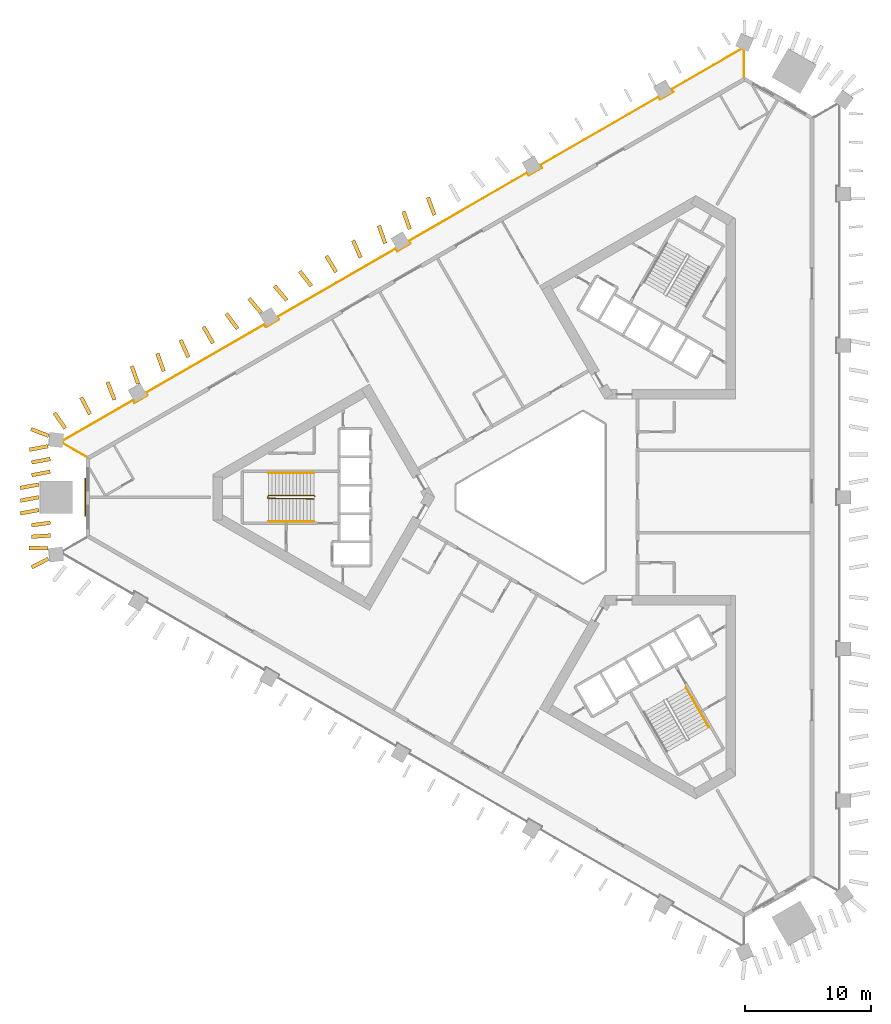
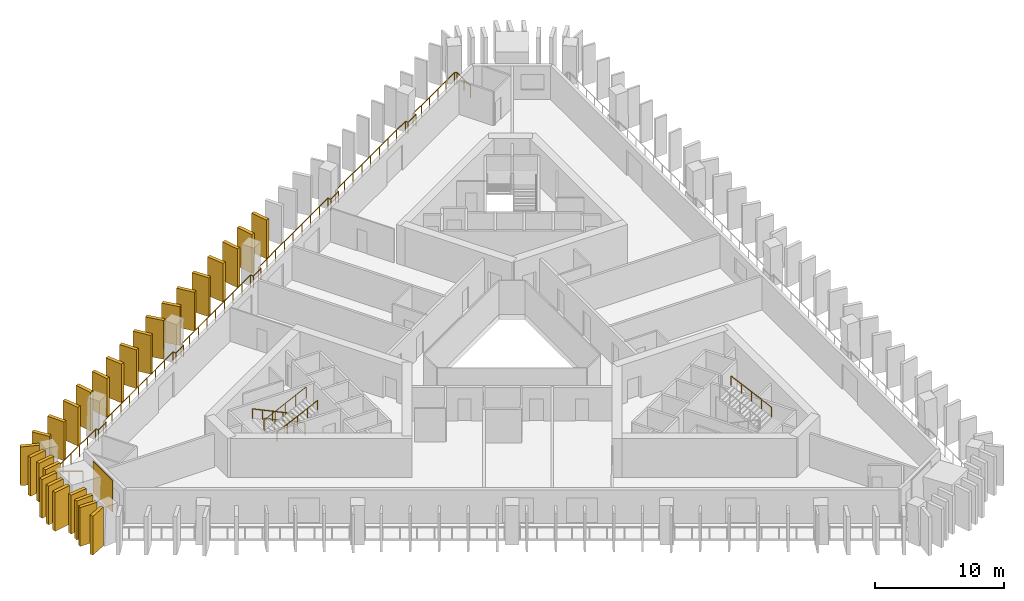
# One storey, part 8 of 10: 27 shading devices, 5 railings, 1 covering.
"""IFC4 building model written with IfcOpenShell, lengths in metres."""

from ifc_helpers import new_model, si_unit, direction, frame, frame_2d, origin, origin_2d, place, context, subcontext, project, spatial, rectangle, circle, extrude, material, layer, layer_set, type_object, element, save


model = new_model("IFC4")

# Units and contexts
model_context = context("Model", 3, precision=1e-05, world=origin(), true_north=direction((0.0, 1.0)))
body_context = subcontext(model_context, "Body", "Model", "MODEL_VIEW")
ifc_project = project(units=[si_unit("LENGTHUNIT", "METRE"), si_unit("AREAUNIT", "SQUARE_METRE"), si_unit("VOLUMEUNIT", "CUBIC_METRE"), si_unit("PLANEANGLEUNIT", "RADIAN"), si_unit("MASSUNIT", "GRAM", prefix="KILO")], contexts=[model_context])

# Site, building, storey
site_placement = place(None, origin())
site = spatial("IfcSite", under=ifc_project, at=site_placement, CompositionType="ELEMENT")
building_placement = place(site_placement, origin())
building = spatial("IfcBuilding", under=site, at=building_placement, Name="Jabali Bay Hotel Tower and Convention Centre", CompositionType="ELEMENT")
storey_placement = place(building_placement, frame((0.0, 0.0, 57.300048828125)))
storey = spatial("IfcBuildingStorey", under=building, at=storey_placement, Name="L12", CompositionType="ELEMENT", Elevation=57.300048828125)

# Railing
ifc_material_1 = material(Name="Glass", Category="glass")
railing_type_1 = type_object("IfcRailingType", Name="Loggia glass guard 1100", PredefinedType="BALUSTRADE", material=ifc_material_1)
railing_1_placement = place(storey_placement, frame((38.290771484375, 83.2265625, 0.0)))
element("IfcRailing", 1, at=railing_1_placement, inside=storey, type_object=railing_type_1, Name="Loggia glass guard L12", PredefinedType="BALUSTRADE", context=body_context, shape_type="SweptSolid", body=[
    extrude(circle(Radius=0.02490234375, at=origin_2d()), frame((0.0, 0.0, 1.0751953125), z_axis=(-0.866027613664, 0.499996172356, 0.0), x_axis=(-0.495718635789, -0.858618627375, 0.13052619222)), (0.0, 0.0, 1.0), 2.1103515625),
    extrude(circle(Radius=0.02490234375, at=origin_2d()), frame((-1.82763671875, 1.05517578125, 1.0751953125), z_axis=(0.115918072513, 0.993258778197, 0.0), x_axis=(-0.984761311658, 0.114926377333, 0.13052619222)), (0.0, 0.0, 1.0), 0.21484375),
    extrude(circle(Radius=0.02490234375, at=origin_2d()), frame((-1.802734375, 1.2685546875, 1.0751953125), z_axis=(0.866032656711, 0.499987437352, 0.0), x_axis=(-0.495709975514, 0.858623627278, 0.13052619222)), (0.0, 0.0, 1.0), 6.406982421875),
    extrude(circle(Radius=0.02490234375, at=origin_2d()), frame((3.745849609375, 4.471923828125, 1.0751953125), z_axis=(0.500342721131, -0.865827443207, 0.0), x_axis=(0.858420169404, 0.496062219791, 0.13052619222)), (0.0, 0.0, 1.0), 0.249755859375),
    extrude(circle(Radius=0.02490234375, at=origin_2d()), frame((3.870849609375, 4.255615234375, 1.0751953125), z_axis=(0.866094119867, 0.499880961361, 0.0), x_axis=(-0.49560441044, 0.858684564609, 0.13052619222)), (0.0, 0.0, 1.0), 1.199951171875),
    extrude(circle(Radius=0.02490234375, at=origin_2d()), frame((4.91015625, 4.85546875, 1.0751953125), z_axis=(-0.499919672301, 0.866071776036, 0.0), x_axis=(-0.858662411932, -0.495642790202, 0.13052619222)), (0.0, 0.0, 1.0), 0.25),
    extrude(circle(Radius=0.02490234375, at=origin_2d()), frame((4.78515625, 5.072021484375, 1.0751953125), z_axis=(0.866017319748, 0.500014001701, 0.0), x_axis=(-0.495736312602, 0.858608421524, 0.13052619222)), (0.0, 0.0, 1.0), 10.848876953125),
    extrude(circle(Radius=0.02490234375, at=origin_2d()), frame((14.180419921875, 10.49658203125, 1.0751953125), z_axis=(0.499919672301, -0.866071776036, 0.0), x_axis=(0.858662411932, 0.495642790202, 0.13052619222)), (0.0, 0.0, 1.0), 0.25),
    extrude(circle(Radius=0.02490234375, at=origin_2d()), frame((14.305419921875, 10.280029296875, 1.0751953125), z_axis=(0.866094119867, 0.499880961361, 0.0), x_axis=(-0.49560441044, 0.858684564609, 0.13052619222)), (0.0, 0.0, 1.0), 1.199951171875),
    extrude(circle(Radius=0.02490234375, at=origin_2d()), frame((15.3447265625, 10.8798828125, 1.0751953125), z_axis=(-0.499919672301, 0.866071776036, 0.0), x_axis=(-0.858662411932, -0.495642790202, 0.13052619222)), (0.0, 0.0, 1.0), 0.25),
    extrude(circle(Radius=0.02490234375, at=origin_2d()), frame((15.2197265625, 11.096435546875, 1.0751953125), z_axis=(0.866022945871, 0.500004257206, 0.0), x_axis=(-0.495726651472, 0.858613999516, 0.13052619222)), (0.0, 0.0, 1.0), 10.84912109375),
    extrude(circle(Radius=0.02490234375, at=origin_2d()), frame((24.615234375, 16.52099609375, 1.0751953125), z_axis=(0.499919672301, -0.866071776036, 0.0), x_axis=(0.858662411932, 0.495642790202, 0.13052619222)), (0.0, 0.0, 1.0), 0.25),
    extrude(circle(Radius=0.02490234375, at=origin_2d()), frame((24.740234375, 16.304443359375, 1.0751953125), z_axis=(0.866094119867, 0.499880961361, 0.0), x_axis=(-0.49560441044, 0.858684564609, 0.13052619222)), (0.0, 0.0, 1.0), 1.199951171875),
    extrude(circle(Radius=0.02490234375, at=origin_2d()), frame((25.779541015625, 16.904296875, 1.0751953125), z_axis=(-0.499919672301, 0.866071776036, 0.0), x_axis=(-0.858662411932, -0.495642790202, 0.13052619222)), (0.0, 0.0, 1.0), 0.25),
    extrude(circle(Radius=0.02490234375, at=origin_2d()), frame((25.654541015625, 17.120849609375, 1.0751953125), z_axis=(0.866017319748, 0.500014001701, 0.0), x_axis=(-0.495736312602, 0.858608421524, 0.13052619222)), (0.0, 0.0, 1.0), 10.848876953125),
    extrude(circle(Radius=0.02490234375, at=origin_2d()), frame((35.0498046875, 22.54541015625, 1.0751953125), z_axis=(0.499919672301, -0.866071776036, 0.0), x_axis=(0.858662411932, 0.495642790202, 0.13052619222)), (0.0, 0.0, 1.0), 0.25),
    extrude(circle(Radius=0.02490234375, at=origin_2d()), frame((35.1748046875, 22.328857421875, 1.0751953125), z_axis=(0.866006032174, 0.500033551112, 0.0), x_axis=(-0.495755694765, 0.858597230518, 0.13052619222)), (0.0, 0.0, 1.0), 1.2001953125),
    extrude(circle(Radius=0.02490234375, at=origin_2d()), frame((36.214111328125, 22.928955078125, 1.0751953125), z_axis=(-0.500342721131, 0.865827443207, 0.0), x_axis=(-0.858420169404, -0.496062219791, 0.13052619222)), (0.0, 0.0, 1.0), 0.249755859375),
    extrude(circle(Radius=0.02490234375, at=origin_2d()), frame((36.089111328125, 23.145263671875, 1.0751953125), z_axis=(0.866022945871, 0.500004257206, 0.0), x_axis=(-0.495726651472, 0.858613999516, 0.13052619222)), (0.0, 0.0, 1.0), 10.84912109375),
    extrude(circle(Radius=0.02490234375, at=origin_2d()), frame((45.484619140625, 28.56982421875, 1.0751953125), z_axis=(0.499919672301, -0.866071776036, 0.0), x_axis=(0.858662411932, 0.495642790202, 0.13052619222)), (0.0, 0.0, 1.0), 0.25),
    extrude(circle(Radius=0.02490234375, at=origin_2d()), frame((45.609619140625, 28.353271484375, 1.0751953125), z_axis=(0.865955154139, 0.50012165622, 0.0), x_axis=(-0.495843046121, 0.858546787751, 0.13052619222)), (0.0, 0.0, 1.0), 1.199951171875),
    extrude(circle(Radius=0.02490234375, at=origin_2d()), frame((46.648681640625, 28.953369140625, 1.0751953125), z_axis=(-0.499919672301, 0.866071776036, 0.0), x_axis=(-0.858662411932, -0.495642790202, 0.13052619222)), (0.0, 0.0, 1.0), 0.25),
    extrude(circle(Radius=0.02490234375, at=origin_2d()), frame((46.523681640625, 29.169921875, 1.0751953125), z_axis=(0.866042182234, 0.499970937746, 0.0), x_axis=(-0.495693617065, 0.858633071309, 0.13052619222)), (0.0, 0.0, 1.0), 6.4072265625),
    extrude(circle(Radius=0.02490234375, at=origin_2d()), frame((52.072509765625, 32.373291015625, 1.0751953125), z_axis=(0.918259892691, -0.395978243688, 0.0), x_axis=(0.392590594921, 0.910404052014, 0.13052619222)), (0.0, 0.0, 1.0), 0.214599609375),
    extrude(circle(Radius=0.02490234375, at=origin_2d()), frame((52.26953125, 32.288330078125, 1.0751953125), z_axis=(0.0, -1.0, 0.0), x_axis=(0.991444861374, 0.0, 0.13052619222)), (0.0, 0.0, 1.0), 2.110595703125),
    extrude(circle(Radius=0.02001953125, at=origin_2d()), origin(), (0.0, 0.0, 1.0), 1.050048828125),
    extrude(circle(Radius=0.02001953125, at=origin_2d()), frame((-0.913818359375, 0.527587890625, 0.0)), (0.0, 0.0, 1.0), 1.050048828125),
    extrude(circle(Radius=0.02001953125, at=origin_2d()), frame((-1.82763671875, 1.05517578125, 0.0)), (0.0, 0.0, 1.0), 1.050048828125),
    extrude(circle(Radius=0.02001953125, at=origin_2d()), frame((-1.802734375, 1.2685546875, 0.0)), (0.0, 0.0, 1.0), 1.050048828125),
    extrude(circle(Radius=0.02001953125, at=origin_2d()), frame((-0.693115234375, 1.9091796875, 0.0)), (0.0, 0.0, 1.0), 1.050048828125),
    extrude(circle(Radius=0.02001953125, at=origin_2d()), frame((0.416748046875, 2.5498046875, 0.0)), (0.0, 0.0, 1.0), 1.050048828125),
    extrude(circle(Radius=0.02001953125, at=origin_2d()), frame((1.5263671875, 3.190673828125, 0.0)), (0.0, 0.0, 1.0), 1.050048828125),
    extrude(circle(Radius=0.02001953125, at=origin_2d()), frame((2.63623046875, 3.831298828125, 0.0)), (0.0, 0.0, 1.0), 1.050048828125),
    extrude(circle(Radius=0.02001953125, at=origin_2d()), frame((3.745849609375, 4.471923828125, 0.0)), (0.0, 0.0, 1.0), 1.050048828125),
    extrude(circle(Radius=0.02001953125, at=origin_2d()), frame((3.870849609375, 4.255615234375, 0.0)), (0.0, 0.0, 1.0), 1.050048828125),
    extrude(circle(Radius=0.02001953125, at=origin_2d()), frame((4.91015625, 4.85546875, 0.0)), (0.0, 0.0, 1.0), 1.050048828125),
    extrude(circle(Radius=0.02001953125, at=origin_2d()), frame((4.78515625, 5.072021484375, 0.0)), (0.0, 0.0, 1.0), 1.050048828125),
    extrude(circle(Radius=0.02001953125, at=origin_2d()), frame((5.95947265625, 5.75, 0.0)), (0.0, 0.0, 1.0), 1.050048828125),
    extrude(circle(Radius=0.02001953125, at=origin_2d()), frame((7.134033203125, 6.42822265625, 0.0)), (0.0, 0.0, 1.0), 1.050048828125),
    extrude(circle(Radius=0.02001953125, at=origin_2d()), frame((8.308349609375, 7.106201171875, 0.0)), (0.0, 0.0, 1.0), 1.050048828125),
    extrude(circle(Radius=0.02001953125, at=origin_2d()), frame((9.48291015625, 7.7841796875, 0.0)), (0.0, 0.0, 1.0), 1.050048828125),
    extrude(circle(Radius=0.02001953125, at=origin_2d()), frame((10.6572265625, 8.46240234375, 0.0)), (0.0, 0.0, 1.0), 1.050048828125),
    extrude(circle(Radius=0.02001953125, at=origin_2d()), frame((11.83154296875, 9.140380859375, 0.0)), (0.0, 0.0, 1.0), 1.050048828125),
    extrude(circle(Radius=0.02001953125, at=origin_2d()), frame((13.006103515625, 9.818603515625, 0.0)), (0.0, 0.0, 1.0), 1.050048828125),
    extrude(circle(Radius=0.02001953125, at=origin_2d()), frame((14.180419921875, 10.49658203125, 0.0)), (0.0, 0.0, 1.0), 1.050048828125),
    extrude(circle(Radius=0.02001953125, at=origin_2d()), frame((14.305419921875, 10.280029296875, 0.0)), (0.0, 0.0, 1.0), 1.050048828125),
    extrude(circle(Radius=0.02001953125, at=origin_2d()), frame((15.3447265625, 10.8798828125, 0.0)), (0.0, 0.0, 1.0), 1.050048828125),
    extrude(circle(Radius=0.02001953125, at=origin_2d()), frame((15.2197265625, 11.096435546875, 0.0)), (0.0, 0.0, 1.0), 1.050048828125),
    extrude(circle(Radius=0.02001953125, at=origin_2d()), frame((16.39404296875, 11.7744140625, 0.0)), (0.0, 0.0, 1.0), 1.050048828125),
    extrude(circle(Radius=0.02001953125, at=origin_2d()), frame((17.568603515625, 12.45263671875, 0.0)), (0.0, 0.0, 1.0), 1.050048828125),
    extrude(circle(Radius=0.02001953125, at=origin_2d()), frame((18.7431640625, 13.130615234375, 0.0)), (0.0, 0.0, 1.0), 1.050048828125),
    extrude(circle(Radius=0.02001953125, at=origin_2d()), frame((19.91748046875, 13.80859375, 0.0)), (0.0, 0.0, 1.0), 1.050048828125),
    extrude(circle(Radius=0.02001953125, at=origin_2d()), frame((21.091796875, 14.48681640625, 0.0)), (0.0, 0.0, 1.0), 1.050048828125),
    extrude(circle(Radius=0.02001953125, at=origin_2d()), frame((22.266357421875, 15.164794921875, 0.0)), (0.0, 0.0, 1.0), 1.050048828125),
    extrude(circle(Radius=0.02001953125, at=origin_2d()), frame((23.44091796875, 15.843017578125, 0.0)), (0.0, 0.0, 1.0), 1.050048828125),
    extrude(circle(Radius=0.02001953125, at=origin_2d()), frame((24.615234375, 16.52099609375, 0.0)), (0.0, 0.0, 1.0), 1.050048828125),
    extrude(circle(Radius=0.02001953125, at=origin_2d()), frame((24.740234375, 16.304443359375, 0.0)), (0.0, 0.0, 1.0), 1.050048828125),
    extrude(circle(Radius=0.02001953125, at=origin_2d()), frame((25.779541015625, 16.904296875, 0.0)), (0.0, 0.0, 1.0), 1.050048828125),
    extrude(circle(Radius=0.02001953125, at=origin_2d()), frame((25.654541015625, 17.120849609375, 0.0)), (0.0, 0.0, 1.0), 1.050048828125),
    extrude(circle(Radius=0.02001953125, at=origin_2d()), frame((26.828857421875, 17.798828125, 0.0)), (0.0, 0.0, 1.0), 1.050048828125),
    extrude(circle(Radius=0.02001953125, at=origin_2d()), frame((28.00341796875, 18.47705078125, 0.0)), (0.0, 0.0, 1.0), 1.050048828125),
    extrude(circle(Radius=0.02001953125, at=origin_2d()), frame((29.177734375, 19.155029296875, 0.0)), (0.0, 0.0, 1.0), 1.050048828125),
    extrude(circle(Radius=0.02001953125, at=origin_2d()), frame((30.35205078125, 19.8330078125, 0.0)), (0.0, 0.0, 1.0), 1.050048828125),
    extrude(circle(Radius=0.02001953125, at=origin_2d()), frame((31.526611328125, 20.51123046875, 0.0)), (0.0, 0.0, 1.0), 1.050048828125),
    extrude(circle(Radius=0.02001953125, at=origin_2d()), frame((32.700927734375, 21.189208984375, 0.0)), (0.0, 0.0, 1.0), 1.050048828125),
    extrude(circle(Radius=0.02001953125, at=origin_2d()), frame((33.87548828125, 21.867431640625, 0.0)), (0.0, 0.0, 1.0), 1.050048828125),
    extrude(circle(Radius=0.02001953125, at=origin_2d()), frame((35.0498046875, 22.54541015625, 0.0)), (0.0, 0.0, 1.0), 1.050048828125),
    extrude(circle(Radius=0.02001953125, at=origin_2d()), frame((35.1748046875, 22.328857421875, 0.0)), (0.0, 0.0, 1.0), 1.050048828125),
    extrude(circle(Radius=0.02001953125, at=origin_2d()), frame((36.214111328125, 22.928955078125, 0.0)), (0.0, 0.0, 1.0), 1.050048828125),
    extrude(circle(Radius=0.02001953125, at=origin_2d()), frame((36.089111328125, 23.145263671875, 0.0)), (0.0, 0.0, 1.0), 1.050048828125),
    extrude(circle(Radius=0.02001953125, at=origin_2d()), frame((37.263671875, 23.8232421875, 0.0)), (0.0, 0.0, 1.0), 1.050048828125),
    extrude(circle(Radius=0.02001953125, at=origin_2d()), frame((38.43798828125, 24.50146484375, 0.0)), (0.0, 0.0, 1.0), 1.050048828125),
    extrude(circle(Radius=0.02001953125, at=origin_2d()), frame((39.6123046875, 25.179443359375, 0.0)), (0.0, 0.0, 1.0), 1.050048828125),
    extrude(circle(Radius=0.02001953125, at=origin_2d()), frame((40.786865234375, 25.857421875, 0.0)), (0.0, 0.0, 1.0), 1.050048828125),
    extrude(circle(Radius=0.02001953125, at=origin_2d()), frame((41.96142578125, 26.53564453125, 0.0)), (0.0, 0.0, 1.0), 1.050048828125),
    extrude(circle(Radius=0.02001953125, at=origin_2d()), frame((43.1357421875, 27.213623046875, 0.0)), (0.0, 0.0, 1.0), 1.050048828125),
    extrude(circle(Radius=0.02001953125, at=origin_2d()), frame((44.31005859375, 27.891845703125, 0.0)), (0.0, 0.0, 1.0), 1.050048828125),
    extrude(circle(Radius=0.02001953125, at=origin_2d()), frame((45.484619140625, 28.56982421875, 0.0)), (0.0, 0.0, 1.0), 1.050048828125),
    extrude(circle(Radius=0.02001953125, at=origin_2d()), frame((45.609619140625, 28.353271484375, 0.0)), (0.0, 0.0, 1.0), 1.050048828125),
    extrude(circle(Radius=0.02001953125, at=origin_2d()), frame((46.648681640625, 28.953369140625, 0.0)), (0.0, 0.0, 1.0), 1.050048828125),
    extrude(circle(Radius=0.02001953125, at=origin_2d()), frame((46.523681640625, 29.169921875, 0.0)), (0.0, 0.0, 1.0), 1.050048828125),
    extrude(circle(Radius=0.02001953125, at=origin_2d()), frame((47.633544921875, 29.810546875, 0.0)), (0.0, 0.0, 1.0), 1.050048828125),
    extrude(circle(Radius=0.02001953125, at=origin_2d()), frame((48.7431640625, 30.451171875, 0.0)), (0.0, 0.0, 1.0), 1.050048828125),
    extrude(circle(Radius=0.02001953125, at=origin_2d()), frame((49.85302734375, 31.092041015625, 0.0)), (0.0, 0.0, 1.0), 1.050048828125),
    extrude(circle(Radius=0.02001953125, at=origin_2d()), frame((50.962646484375, 31.732666015625, 0.0)), (0.0, 0.0, 1.0), 1.050048828125),
    extrude(circle(Radius=0.02001953125, at=origin_2d()), frame((52.072509765625, 32.373291015625, 0.0)), (0.0, 0.0, 1.0), 1.050048828125),
    extrude(circle(Radius=0.02001953125, at=origin_2d()), frame((52.26953125, 32.288330078125, 0.0)), (0.0, 0.0, 1.0), 1.050048828125),
    extrude(circle(Radius=0.02001953125, at=origin_2d()), frame((52.26953125, 31.23291015625, 0.0)), (0.0, 0.0, 1.0), 1.050048828125),
    extrude(circle(Radius=0.02001953125, at=origin_2d()), frame((52.26953125, 30.177734375, 0.0)), (0.0, 0.0, 1.0), 1.050048828125),
])

# Shading devices
ifc_material_2 = material(Name="Precast concrete C60", Category="concrete")
ifc_layer_1 = layer(ifc_material_2, 0.300048828125)
ifc_layer_set_1 = layer_set([ifc_layer_1], Name="Precast concrete C60")
shading_device_type = type_object("IfcShadingDeviceType", Name="Precast fin 3680 x 1500", PredefinedType="USERDEFINED", material=ifc_layer_set_1)
shading_device_1_placement = place(storey_placement, frame((65.96923828125, 102.411376953125, 0.010009765625), z_axis=(0.0, 0.0, 1.0), x_axis=(-0.345660108721, 0.93835978667, 0.0)))
element("IfcShadingDevice", 2, at=shading_device_1_placement, inside=storey, type_object=shading_device_type, Name="Fin L12 049", ObjectType="FIN", PredefinedType="USERDEFINED", context=body_context, shape_type="SweptSolid", body=[
    extrude(rectangle(XDim=1.500244140625, YDim=0.300048828125, at=frame_2d((0.75, 0.0))), origin(), (0.0, 0.0, 1.0), 3.679931640625),
])
for number, where, z_axis, x_axis, name in (
    (3, (64.01416015625, 101.28466796875, 0.010009765625), (0.0, 0.0, 1.0), (-0.335449534217, 0.942058177606, 0.0), "Fin L12 050"),
    (4, (62.059814453125, 100.15625, 0.010009765625), (0.0, 0.0, 1.0), (-0.335109201498, 0.942179294546, 0.0), "Fin L12 051"),
):
    element("IfcShadingDevice", number, at=place(storey_placement, frame(where, z_axis=z_axis, x_axis=x_axis)), inside=storey, type_object=shading_device_type, Name=name, ObjectType="FIN", PredefinedType="USERDEFINED", context=body_context, shape_type="SweptSolid", body=[
        extrude(rectangle(XDim=1.5, YDim=0.300048828125, at=frame_2d((0.75, 0.0))), origin(), (0.0, 0.0, 1.0), 3.679931640625),
    ])
shading_device_2_placement = place(storey_placement, frame((60.110595703125, 99.019287109375, 0.010009765625), z_axis=(0.0, 0.0, 1.0), x_axis=(-0.397726175077, 0.917504163292, 0.0)))
element("IfcShadingDevice", 5, at=shading_device_2_placement, inside=storey, type_object=shading_device_type, Name="Fin L12 052", ObjectType="FIN", PredefinedType="USERDEFINED", context=body_context, shape_type="SweptSolid", body=[
    extrude(rectangle(XDim=1.500244140625, YDim=0.300048828125, at=frame_2d((0.75, 0.0))), origin(), (0.0, 0.0, 1.0), 3.679931640625),
])
shading_device_3_placement = place(storey_placement, frame((58.163330078125, 97.87890625, 0.010009765625), z_axis=(0.0, 0.0, 1.0), x_axis=(-0.517460918382, 0.855706841124, 0.0)))
element("IfcShadingDevice", 6, at=shading_device_3_placement, inside=storey, type_object=shading_device_type, Name="Fin L12 053", ObjectType="FIN", PredefinedType="USERDEFINED", context=body_context, shape_type="SweptSolid", body=[
    extrude(rectangle(XDim=1.499755859375, YDim=0.300048828125, at=frame_2d((0.75, 0.0))), origin(), (0.0, 0.0, 1.0), 3.679931640625),
])
shading_device_4_placement = place(storey_placement, frame((56.200439453125, 96.765625, 0.010009765625), z_axis=(0.0, 0.0, 1.0), x_axis=(-0.613557459023, 0.789650077235, 0.0)))
element("IfcShadingDevice", 7, at=shading_device_4_placement, inside=storey, type_object=shading_device_type, Name="Fin L12 054", ObjectType="FIN", PredefinedType="USERDEFINED", context=body_context, shape_type="SweptSolid", body=[
    extrude(rectangle(XDim=1.5, YDim=0.300048828125, at=frame_2d((0.75, 0.0))), origin(), (0.0, 0.0, 1.0), 3.679931640625),
])
shading_device_5_placement = place(storey_placement, frame((54.242919921875, 95.64306640625, 0.010009765625), z_axis=(0.0, 0.0, 1.0), x_axis=(-0.64837563468, 0.761320587107, 0.0)))
element("IfcShadingDevice", 8, at=shading_device_5_placement, inside=storey, type_object=shading_device_type, Name="Fin L12 055", ObjectType="FIN", PredefinedType="USERDEFINED", context=body_context, shape_type="SweptSolid", body=[
    extrude(rectangle(XDim=1.500244140625, YDim=0.300048828125, at=frame_2d((0.75, 0.0))), origin(), (0.0, 0.0, 1.0), 3.679931640625),
])
for number, where, z_axis, x_axis, name in (
    (9, (52.213623046875, 94.64453125, 0.010009765625), (0.0, 0.0, 1.0), (-0.648281291341, 0.761400924151, 0.0), "Fin L12 056"),
    (10, (50.339111328125, 93.378173828125, 0.010009765625), (0.0, 0.0, 1.0), (-0.597653685154, 0.801754371751, 0.0), "Fin L12 057"),
    (11, (48.39306640625, 92.23583984375, 0.010009765625), (0.0, 0.0, 1.0), (-0.506671552998, 0.862139163582, 0.0), "Fin L12 058"),
    (12, (46.431640625, 91.119873046875, 0.010009765625), (0.0, 0.0, 1.0), (-0.407527248386, 0.913193047402, 0.0), "Fin L12 059"),
):
    element("IfcShadingDevice", number, at=place(storey_placement, frame(where, z_axis=z_axis, x_axis=x_axis)), inside=storey, type_object=shading_device_type, Name=name, ObjectType="FIN", PredefinedType="USERDEFINED", context=body_context, shape_type="SweptSolid", body=[
        extrude(rectangle(XDim=1.5, YDim=0.300048828125, at=frame_2d((0.75, 0.0))), origin(), (0.0, 0.0, 1.0), 3.679931640625),
    ])
shading_device_6_placement = place(storey_placement, frame((44.471435546875, 90.001708984375, 0.010009765625), z_axis=(0.0, 0.0, 1.0), x_axis=(-0.335160595484, 0.942161013434, 0.0)))
element("IfcShadingDevice", 13, at=shading_device_6_placement, inside=storey, type_object=shading_device_type, Name="Fin L12 060", ObjectType="FIN", PredefinedType="USERDEFINED", context=body_context, shape_type="SweptSolid", body=[
    extrude(rectangle(XDim=1.499755859375, YDim=0.300048828125, at=frame_2d((0.75, 0.0))), origin(), (0.0, 0.0, 1.0), 3.679931640625),
])
shading_device_7_placement = place(storey_placement, frame((42.4423828125, 89.003173828125, 0.010009765625), z_axis=(0.0, 0.0, 1.0), x_axis=(-0.335305076677, 0.942109603791, 0.0)))
element("IfcShadingDevice", 14, at=shading_device_7_placement, inside=storey, type_object=shading_device_type, Name="Fin L12 061", ObjectType="FIN", PredefinedType="USERDEFINED", context=body_context, shape_type="SweptSolid", body=[
    extrude(rectangle(XDim=1.5, YDim=0.300048828125, at=frame_2d((0.75, 0.0))), origin(), (0.0, 0.0, 1.0), 3.679931640625),
])
shading_device_8_placement = place(storey_placement, frame((40.5654296875, 87.740966796875, 0.010009765625), z_axis=(0.0, 0.0, 1.0), x_axis=(-0.366080404354, 0.930583224407, 0.0)))
element("IfcShadingDevice", 15, at=shading_device_8_placement, inside=storey, type_object=shading_device_type, Name="Fin L12 062", ObjectType="FIN", PredefinedType="USERDEFINED", context=body_context, shape_type="SweptSolid", body=[
    extrude(rectangle(XDim=1.499755859375, YDim=0.300048828125, at=frame_2d((0.75, 0.0))), origin(), (0.0, 0.0, 1.0), 3.679931640625),
])
for number, where, z_axis, x_axis, name in (
    (16, (38.619384765625, 86.59814453125, 0.010009765625), (0.0, 0.0, 1.0), (-0.466960167336, 0.884278351042, 0.0), "Fin L12 063"),
    (17, (36.66064453125, 85.4775390625, 0.010009765625), (0.0, 0.0, 1.0), (-0.581853862011, 0.813293356215, 0.0), "Fin L12 064"),
    (18, (35.28564453125, 84.04833984375, 0.010009765625), (0.0, 0.0, 1.0), (-0.98351646372, -0.180818598576, 0.0), "Fin L12 065"),
    (19, (35.4638671875, 83.036376953125, 0.010009765625), (0.0, 0.0, 1.0), (-0.98351646372, -0.180818598576, 0.0), "Fin L12 066"),
    (20, (35.4638671875, 82.024169921875, 0.010009765625), (0.0, 0.0, 1.0), (-0.98351646372, -0.180818598576, 0.0), "Fin L12 067"),
):
    element("IfcShadingDevice", number, at=place(storey_placement, frame(where, z_axis=z_axis, x_axis=x_axis)), inside=storey, type_object=shading_device_type, Name=name, ObjectType="FIN", PredefinedType="USERDEFINED", context=body_context, shape_type="SweptSolid", body=[
        extrude(rectangle(XDim=1.5, YDim=0.300048828125, at=frame_2d((0.75, 0.0))), origin(), (0.0, 0.0, 1.0), 3.679931640625),
    ])
for number, where, z_axis, x_axis, name in (
    (21, (34.564453125, 81.01220703125, 0.010009765625), (0.0, 0.0, 1.0), (-0.983511141173, -0.180847546813, 0.0), "Fin L12 068"),
    (22, (34.564453125, 80.0, 0.010009765625), (0.0, 0.0, 1.0), (-0.983511141173, -0.180847546813, 0.0), "Fin L12 069"),
    (23, (34.564453125, 78.98779296875, 0.010009765625), (0.0, 0.0, 1.0), (-0.983540082214, -0.180690084617, 0.0), "Fin L12 070"),
):
    element("IfcShadingDevice", number, at=place(storey_placement, frame(where, z_axis=z_axis, x_axis=x_axis)), inside=storey, type_object=shading_device_type, Name=name, ObjectType="FIN", PredefinedType="USERDEFINED", context=body_context, shape_type="SweptSolid", body=[
        extrude(rectangle(XDim=1.499755859375, YDim=0.300048828125, at=frame_2d((0.75, 0.0))), origin(), (0.0, 0.0, 1.0), 3.679931640625),
    ])
for number, where, z_axis, x_axis, name in (
    (24, (35.470703125, 77.975830078125, 0.010009765625), (0.0, 0.0, 1.0), (-0.99089936857, -0.134604759824, 0.0), "Fin L12 071"),
    (25, (35.48095703125, 76.963623046875, 0.010009765625), (0.0, 0.0, 1.0), (-0.997803841475, -0.066238160737, 0.0), "Fin L12 072"),
):
    element("IfcShadingDevice", number, at=place(storey_placement, frame(where, z_axis=z_axis, x_axis=x_axis)), inside=storey, type_object=shading_device_type, Name=name, ObjectType="FIN", PredefinedType="USERDEFINED", context=body_context, shape_type="SweptSolid", body=[
        extrude(rectangle(XDim=1.5, YDim=0.300048828125, at=frame_2d((0.75, 0.0))), origin(), (0.0, 0.0, 1.0), 3.679931640625),
    ])
for number, where, z_axis, x_axis, name in (
    (26, (35.281494140625, 75.95166015625, 0.010009765625), (0.0, 0.0, 1.0), (-0.999938738604, 0.011068831878, 0.0), "Fin L12 073"),
    (27, (35.33740234375, 84.8740234375, 0.010009765625), (0.0, 0.0, 1.0), (-0.934177944196, 0.356807467098, 0.0), "Fin L12 114"),
):
    element("IfcShadingDevice", number, at=place(storey_placement, frame(where, z_axis=z_axis, x_axis=x_axis)), inside=storey, type_object=shading_device_type, Name=name, ObjectType="FIN", PredefinedType="USERDEFINED", context=body_context, shape_type="SweptSolid", body=[
        extrude(rectangle(XDim=1.499755859375, YDim=0.300048828125, at=frame_2d((0.75, 0.0))), origin(), (0.0, 0.0, 1.0), 3.679931640625),
    ])
shading_device_9_placement = place(storey_placement, frame((35.322998046875, 75.11767578125, 0.010009765625), z_axis=(0.0, 0.0, 1.0), x_axis=(-0.89038777784, -0.455202817514, 0.0)))
element("IfcShadingDevice", 28, at=shading_device_9_placement, inside=storey, type_object=shading_device_type, Name="Fin L12 115", ObjectType="FIN", PredefinedType="USERDEFINED", context=body_context, shape_type="SweptSolid", body=[
    extrude(rectangle(XDim=1.500244140625, YDim=0.300048828125, at=frame_2d((0.75, 0.0))), origin(), (0.0, 0.0, 1.0), 3.679931640625),
])

# Covering
ifc_material_3 = material(Name="Precast concrete C40/50", Category="concrete")
ifc_layer_2 = layer(ifc_material_3, 0.080078125)
ifc_layer_set_2 = layer_set([ifc_layer_2], Name="Precast concrete C40/50")
covering_type = type_object("IfcCoveringType", Name="Relief panel 3000 x 3000", PredefinedType="CLADDING", material=ifc_layer_set_2)
covering_placement = place(storey_placement, frame((38.250732421875, 80.0, 0.099853515625), z_axis=(0.0, 0.0, 1.0), x_axis=(0.0, 1.0, 0.0)))
element("IfcCovering", 29, at=covering_placement, inside=storey, type_object=covering_type, Name="Relief panel L12", PredefinedType="CLADDING", context=body_context, shape_type="SweptSolid", body=[
    extrude(rectangle(XDim=3.0, YDim=0.080078125, at=origin_2d()), origin(), (0.0, 0.0, 1.0), 3.0),
])

# Railings
ifc_material_4 = material(Name="Steel Q355B", Category="steel")
railing_type_2 = type_object("IfcRailingType", Name="Stair guard 1100", PredefinedType="GUARDRAIL", material=ifc_material_4)
railing_2_placement = place(storey_placement, frame((56.469970703125, 80.074951171875, 0.0)))
element("IfcRailing", 30, at=railing_2_placement, inside=storey, type_object=railing_type_2, Name="L12 ST1 stair guard 1", PredefinedType="GUARDRAIL", context=body_context, shape_type="SweptSolid", body=[
    extrude(circle(Radius=0.02392578125, at=origin_2d()), frame((0.0, 0.0, 1.076171875), z_axis=(-0.333993628408, 0.333993628408, 0.881417331555), x_axis=(-0.707106781187, -0.707106781187, 0.0)), (0.0, 0.0, 1.0), 0.14990234375),
    extrude(circle(Radius=0.02392578125, at=origin_2d()), frame((-0.050048828125, 0.050048828125, 1.2080078125), z_axis=(-0.904350763662, 0.0, 0.426789990819), x_axis=(0.0, -1.0, 0.0)), (0.0, 0.0, 1.0), 4.02490234375),
    extrude(circle(Radius=0.02392578125, at=origin_2d()), frame((-3.68994140625, 0.050048828125, 2.92578125), z_axis=(-0.242814311512, -0.970072785993, 0.0), x_axis=(0.970072785993, -0.242814311512, 0.0)), (0.0, 0.0, 1.0), 0.2060546875),
    extrude(circle(Radius=0.02392578125, at=origin_2d()), frame((-3.739990234375, -0.14990234375, 2.92578125), z_axis=(0.893864111827, -0.012124000458, 0.448174026692), x_axis=(0.013562335953, 0.999908027292, 0.0)), (0.0, 0.0, 1.0), 4.128173828125),
    extrude(circle(Radius=0.02099609375, at=origin_2d()), origin(), (0.0, 0.0, 1.0), 1.052001953125),
    extrude(circle(Radius=0.02099609375, at=origin_2d()), frame((-0.050048828125, 0.050048828125, 0.132080078125)), (0.0, 0.0, 1.0), 1.052001953125),
    extrude(circle(Radius=0.02099609375, at=origin_2d()), frame((-0.9599609375, 0.050048828125, 0.5615234375)), (0.0, 0.0, 1.0), 1.052001953125),
    extrude(circle(Radius=0.02099609375, at=origin_2d()), frame((-1.8701171875, 0.050048828125, 0.990966796875)), (0.0, 0.0, 1.0), 1.052001953125),
    extrude(circle(Radius=0.02099609375, at=origin_2d()), frame((-2.780029296875, 0.050048828125, 1.42041015625)), (0.0, 0.0, 1.0), 1.052001953125),
    extrude(circle(Radius=0.02099609375, at=origin_2d()), frame((-3.68994140625, 0.050048828125, 1.849853515625)), (0.0, 0.0, 1.0), 1.052001953125),
    extrude(circle(Radius=0.02099609375, at=origin_2d()), frame((-3.739990234375, -0.14990234375, 1.849853515625)), (0.0, 0.0, 1.0), 1.052001953125),
    extrude(circle(Radius=0.02099609375, at=origin_2d()), frame((-2.8173828125, -0.162353515625, 2.3125)), (0.0, 0.0, 1.0), 1.052001953125),
    extrude(circle(Radius=0.02099609375, at=origin_2d()), frame((-1.89501953125, -0.1748046875, 2.77490234375)), (0.0, 0.0, 1.0), 1.052001953125),
    extrude(circle(Radius=0.02099609375, at=origin_2d()), frame((-0.97265625, -0.1875, 3.2373046875)), (0.0, 0.0, 1.0), 1.052001953125),
    extrude(circle(Radius=0.02099609375, at=origin_2d()), frame((-0.050048828125, -0.199951171875, 3.699951171875)), (0.0, 0.0, 1.0), 1.052001953125),
])
railing_type_3 = type_object("IfcRailingType", Name="Stair handrail 900", PredefinedType="HANDRAIL", material=ifc_material_4)
railing_3_placement = place(storey_placement, frame((56.419921875, 81.925048828125, 0.132080078125)))
element("IfcRailing", 31, at=railing_3_placement, inside=storey, type_object=railing_type_3, Name="L12 ST1 stair handrail 1", PredefinedType="HANDRAIL", context=body_context, shape_type="SweptSolid", body=[
    extrude(circle(Radius=0.02392578125, at=origin_2d()), frame((0.0, 0.0, 0.8759765625), z_axis=(-0.904350763662, 0.0, 0.426789990819), x_axis=(0.0, -1.0, 0.0)), (0.0, 0.0, 1.0), 4.02490234375),
    extrude(circle(Radius=0.02099609375, at=origin_2d()), origin(), (0.0, 0.0, 1.0), 0.851806640625),
    extrude(circle(Radius=0.02099609375, at=origin_2d()), frame((-0.909912109375, 0.0, 0.429443359375)), (0.0, 0.0, 1.0), 0.851806640625),
    extrude(circle(Radius=0.02099609375, at=origin_2d()), frame((-1.81982421875, 0.0, 0.85888671875)), (0.0, 0.0, 1.0), 0.851806640625),
    extrude(circle(Radius=0.02099609375, at=origin_2d()), frame((-2.72998046875, 0.0, 1.288330078125)), (0.0, 0.0, 1.0), 0.851806640625),
    extrude(circle(Radius=0.02099609375, at=origin_2d()), frame((-3.639892578125, 0.0, 1.7177734375)), (0.0, 0.0, 1.0), 0.851806640625),
])
railing_4_placement = place(storey_placement, frame((52.780029296875, 78.074951171875, 1.982177734375)))
element("IfcRailing", 32, at=railing_4_placement, inside=storey, type_object=railing_type_3, Name="L12 ST1 stair handrail 2", PredefinedType="HANDRAIL", context=body_context, shape_type="SweptSolid", body=[
    extrude(circle(Radius=0.02392578125, at=origin_2d()), frame((0.0, 0.0, 0.8759765625), z_axis=(0.904350763662, 0.0, 0.426789990819), x_axis=(0.0, 1.0, 0.0)), (0.0, 0.0, 1.0), 4.02490234375),
    extrude(circle(Radius=0.02099609375, at=origin_2d()), origin(), (0.0, 0.0, 1.0), 0.851806640625),
    extrude(circle(Radius=0.02099609375, at=origin_2d()), frame((0.909912109375, 0.0, 0.429443359375)), (0.0, 0.0, 1.0), 0.851806640625),
    extrude(circle(Radius=0.02099609375, at=origin_2d()), frame((1.81982421875, 0.0, 0.85888671875)), (0.0, 0.0, 1.0), 0.851806640625),
    extrude(circle(Radius=0.02099609375, at=origin_2d()), frame((2.72998046875, 0.0, 1.288330078125)), (0.0, 0.0, 1.0), 0.851806640625),
    extrude(circle(Radius=0.02099609375, at=origin_2d()), frame((3.639892578125, 0.0, 1.7177734375)), (0.0, 0.0, 1.0), 0.851806640625),
])
railing_5_placement = place(storey_placement, frame((87.777099609375, 61.719482421875, 1.982177734375)))
element("IfcRailing", 33, at=railing_5_placement, inside=storey, type_object=railing_type_3, Name="L12 ST3 stair handrail 2", PredefinedType="HANDRAIL", context=body_context, shape_type="SweptSolid", body=[
    extrude(circle(Radius=0.02392578125, at=origin_2d()), frame((0.0, 0.0, 0.8759765625), z_axis=(-0.452190331055, 0.783190014029, 0.426775475427), x_axis=(-0.866018046521, -0.500012742938, 0.0)), (0.0, 0.0, 1.0), 4.02490234375),
    extrude(circle(Radius=0.02099609375, at=origin_2d()), origin(), (0.0, 0.0, 1.0), 0.851806640625),
    extrude(circle(Radius=0.02099609375, at=origin_2d()), frame((-0.455078125, 0.7880859375, 0.429443359375)), (0.0, 0.0, 1.0), 0.851806640625),
    extrude(circle(Radius=0.02099609375, at=origin_2d()), frame((-0.91015625, 1.576171875, 0.85888671875)), (0.0, 0.0, 1.0), 0.851806640625),
    extrude(circle(Radius=0.02099609375, at=origin_2d()), frame((-1.364990234375, 2.3642578125, 1.288330078125)), (0.0, 0.0, 1.0), 0.851806640625),
    extrude(circle(Radius=0.02099609375, at=origin_2d()), frame((-1.820068359375, 3.15234375, 1.7177734375)), (0.0, 0.0, 1.0), 0.851806640625),
])

save(model, "model.ifc")
